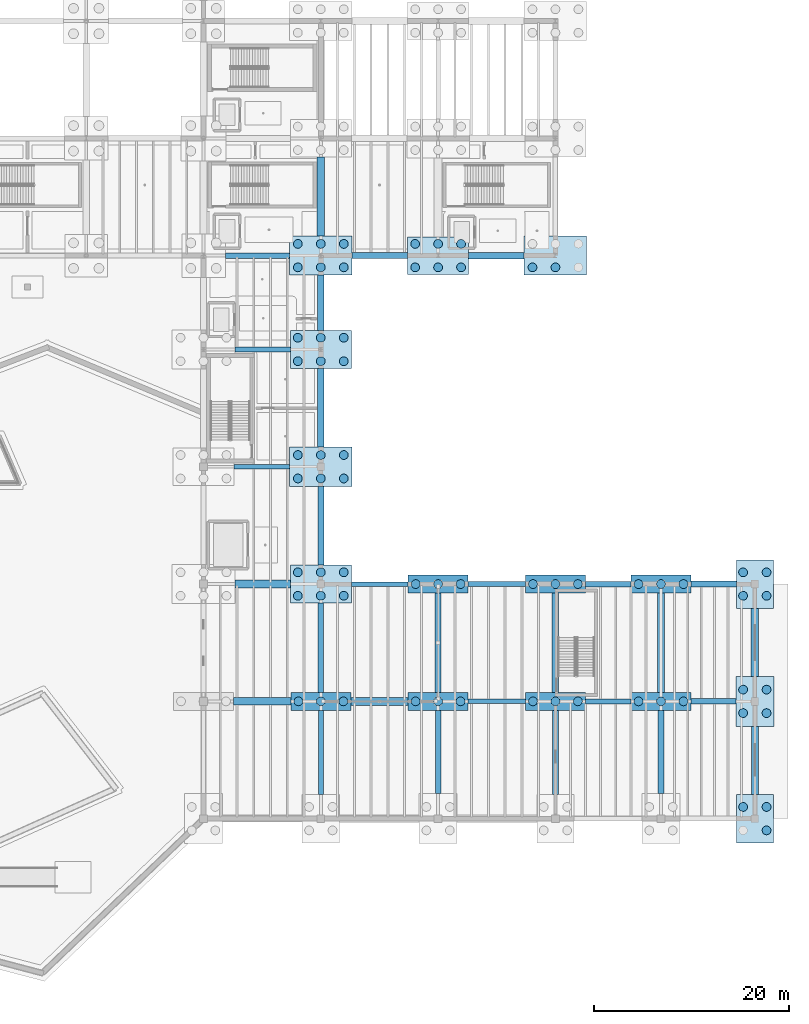
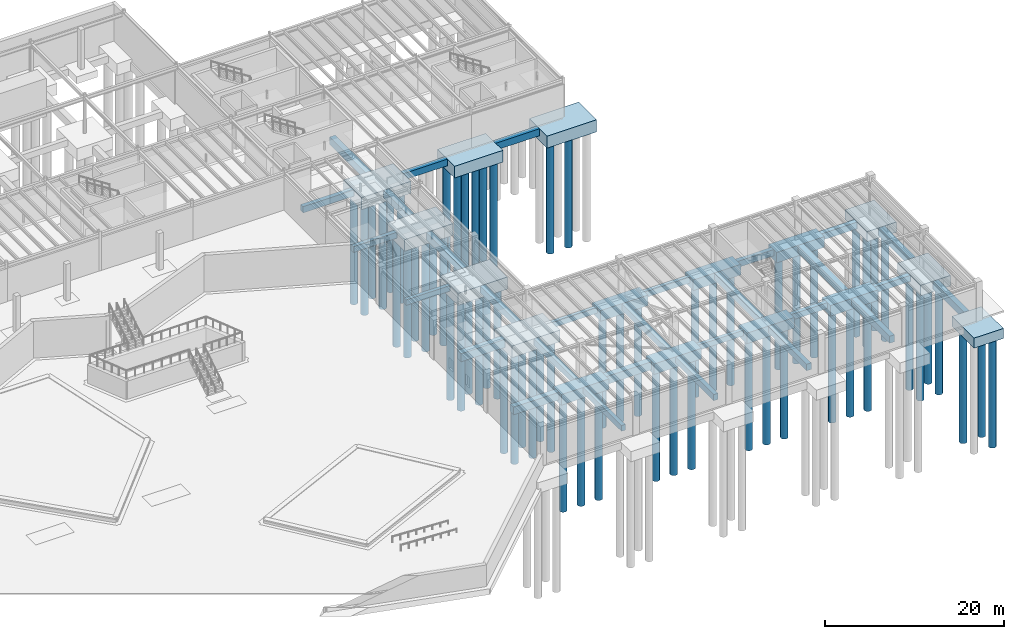
# One storey, part 8 of 67: 64 piles, 45 footings.
"""IFC4 building model written with IfcOpenShell, lengths in metres."""

from ifc_helpers import new_model, si_unit, direction, frame, origin, origin_2d, place, context, subcontext, project, spatial, polyline, rectangle, circle, outline, extrude, material, material_profile, profile_set, type_object, element, save


model = new_model("IFC4")

# Units and contexts
model_context = context("Model", 3, precision=1e-05, world=origin(), true_north=direction((0.0, 1.0)))
body_context = subcontext(model_context, "Body", "Model", "MODEL_VIEW")
ifc_project = project(units=[si_unit("LENGTHUNIT", "METRE"), si_unit("AREAUNIT", "SQUARE_METRE"), si_unit("VOLUMEUNIT", "CUBIC_METRE"), si_unit("PLANEANGLEUNIT", "RADIAN"), si_unit("MASSUNIT", "GRAM", prefix="KILO")], contexts=[model_context])

# Site, building, storey
site_placement = place(None, origin())
site = spatial("IfcSite", under=ifc_project, at=site_placement, CompositionType="ELEMENT")
building_placement = place(site_placement, origin())
building = spatial("IfcBuilding", under=site, at=building_placement, Name="Zlatogorsky Bluff Art Gallery", CompositionType="ELEMENT")
storey_placement = place(building_placement, frame((0.0, 0.0, -5.39990234375)))
storey = spatial("IfcBuildingStorey", under=building, at=storey_placement, Name="B1", CompositionType="ELEMENT", Elevation=-5.39990234375)

# Piles
ifc_material = material(Name="Concrete C35/45", Category="concrete")
ifc_material_profile = material_profile(ifc_material, circle(Radius=0.449951171875, at=origin_2d()), Name="BORED PILE D900")
ifc_profile_set = profile_set([ifc_material_profile], Name="Concrete C35/45")
pile_type = type_object("IfcPileType", Name="Bored Pile D900 C35/45", PredefinedType="BORED", material=ifc_profile_set)
for number, where, z_axis, x_axis, name in (
    (1, (129.699951171875, 38.39990234375, -1.75), (0.0, 0.0, -1.0), (1.0, 0.0, 0.0), "Bored pile PL-01 11.04.1"),
    (2, (132.0, 38.39990234375, -1.75), (0.0, 0.0, -1.0), (1.0, 0.0, 0.0), "Bored pile PL-01 11.04.2"),
    (3, (134.300048828125, 38.39990234375, -1.75), (0.0, 0.0, -1.0), (1.0, 0.0, 0.0), "Bored pile PL-01 11.04.3"),
):
    element("IfcPile", number, at=place(storey_placement, frame(where, z_axis=z_axis, x_axis=x_axis)), inside=storey, type_object=pile_type, Name=name, PredefinedType="BORED", context=body_context, shape_type="SweptSolid", body=[
        extrude(circle(Radius=0.449951171875, at=origin_2d()), origin(), (0.0, 0.0, 1.0), 15.25),
    ])
for number, where, z_axis, x_axis, name in (
    (4, (129.64990234375, 49.199951171875, -1.900146484375), (0.0, 0.0, -1.0), (1.0, 0.0, 0.0), "Bored pile PL-01 11.05.1"),
    (5, (132.0, 49.199951171875, -1.900146484375), (0.0, 0.0, -1.0), (1.0, 0.0, 0.0), "Bored pile PL-01 11.05.2"),
    (6, (134.35009765625, 49.199951171875, -1.900146484375), (0.0, 0.0, -1.0), (1.0, 0.0, 0.0), "Bored pile PL-01 11.05.3"),
    (7, (129.64990234375, 51.60009765625, -1.900146484375), (0.0, 0.0, -1.0), (1.0, 0.0, 0.0), "Bored pile PL-01 11.05.4"),
    (8, (132.0, 51.60009765625, -1.900146484375), (0.0, 0.0, -1.0), (1.0, 0.0, 0.0), "Bored pile PL-01 11.05.5"),
    (9, (134.35009765625, 51.60009765625, -1.900146484375), (0.0, 0.0, -1.0), (1.0, 0.0, 0.0), "Bored pile PL-01 11.05.6"),
):
    element("IfcPile", number, at=place(storey_placement, frame(where, z_axis=z_axis, x_axis=x_axis)), inside=storey, type_object=pile_type, Name=name, PredefinedType="BORED", context=body_context, shape_type="SweptSolid", body=[
        extrude(circle(Radius=0.449951171875, at=origin_2d()), origin(), (0.0, 0.0, 1.0), 15.10009765625),
    ])
for number, where, z_axis, x_axis, name in (
    (10, (129.64990234375, 61.199951171875, -1.9501953125), (0.0, 0.0, -1.0), (1.0, 0.0, 0.0), "Bored pile PL-01 11.06.1"),
    (11, (132.0, 61.199951171875, -1.9501953125), (0.0, 0.0, -1.0), (1.0, 0.0, 0.0), "Bored pile PL-01 11.06.2"),
    (12, (134.35009765625, 61.199951171875, -1.9501953125), (0.0, 0.0, -1.0), (1.0, 0.0, 0.0), "Bored pile PL-01 11.06.3"),
    (13, (129.64990234375, 63.60009765625, -1.9501953125), (0.0, 0.0, -1.0), (1.0, 0.0, 0.0), "Bored pile PL-01 11.06.4"),
    (14, (132.0, 63.60009765625, -1.9501953125), (0.0, 0.0, -1.0), (1.0, 0.0, 0.0), "Bored pile PL-01 11.06.5"),
    (15, (134.35009765625, 63.60009765625, -1.9501953125), (0.0, 0.0, -1.0), (1.0, 0.0, 0.0), "Bored pile PL-01 11.06.6"),
):
    element("IfcPile", number, at=place(storey_placement, frame(where, z_axis=z_axis, x_axis=x_axis)), inside=storey, type_object=pile_type, Name=name, PredefinedType="BORED", context=body_context, shape_type="SweptSolid", body=[
        extrude(circle(Radius=0.449951171875, at=origin_2d()), origin(), (0.0, 0.0, 1.0), 15.050048828125),
    ])
for number, where, z_axis, x_axis, name in (
    (16, (129.64990234375, 73.199951171875, -1.900146484375), (0.0, 0.0, -1.0), (1.0, 0.0, 0.0), "Bored pile PL-01 11.07.1"),
    (17, (132.0, 73.199951171875, -1.900146484375), (0.0, 0.0, -1.0), (1.0, 0.0, 0.0), "Bored pile PL-01 11.07.2"),
    (18, (134.35009765625, 73.199951171875, -1.900146484375), (0.0, 0.0, -1.0), (1.0, 0.0, 0.0), "Bored pile PL-01 11.07.3"),
    (19, (129.64990234375, 75.60009765625, -1.900146484375), (0.0, 0.0, -1.0), (1.0, 0.0, 0.0), "Bored pile PL-01 11.07.4"),
    (20, (132.0, 75.60009765625, -1.900146484375), (0.0, 0.0, -1.0), (1.0, 0.0, 0.0), "Bored pile PL-01 11.07.5"),
    (21, (134.35009765625, 75.60009765625, -1.900146484375), (0.0, 0.0, -1.0), (1.0, 0.0, 0.0), "Bored pile PL-01 11.07.6"),
):
    element("IfcPile", number, at=place(storey_placement, frame(where, z_axis=z_axis, x_axis=x_axis)), inside=storey, type_object=pile_type, Name=name, PredefinedType="BORED", context=body_context, shape_type="SweptSolid", body=[
        extrude(circle(Radius=0.449951171875, at=origin_2d()), origin(), (0.0, 0.0, 1.0), 15.10009765625),
    ])
for number, where, z_axis, x_axis, name in (
    (22, (129.64990234375, 82.800048828125, -1.9501953125), (0.0, 0.0, -1.0), (1.0, 0.0, 0.0), "Bored pile PL-01 11.08.1"),
    (23, (132.0, 82.800048828125, -1.9501953125), (0.0, 0.0, -1.0), (1.0, 0.0, 0.0), "Bored pile PL-01 11.08.2"),
    (24, (134.35009765625, 82.800048828125, -1.9501953125), (0.0, 0.0, -1.0), (1.0, 0.0, 0.0), "Bored pile PL-01 11.08.3"),
    (25, (129.64990234375, 85.199951171875, -1.9501953125), (0.0, 0.0, -1.0), (1.0, 0.0, 0.0), "Bored pile PL-01 11.08.4"),
    (26, (132.0, 85.199951171875, -1.9501953125), (0.0, 0.0, -1.0), (1.0, 0.0, 0.0), "Bored pile PL-01 11.08.5"),
    (27, (134.35009765625, 85.199951171875, -1.9501953125), (0.0, 0.0, -1.0), (1.0, 0.0, 0.0), "Bored pile PL-01 11.08.6"),
):
    element("IfcPile", number, at=place(storey_placement, frame(where, z_axis=z_axis, x_axis=x_axis)), inside=storey, type_object=pile_type, Name=name, PredefinedType="BORED", context=body_context, shape_type="SweptSolid", body=[
        extrude(circle(Radius=0.449951171875, at=origin_2d()), origin(), (0.0, 0.0, 1.0), 15.050048828125),
    ])
for number, where, z_axis, x_axis, name in (
    (28, (141.699951171875, 38.39990234375, -1.75), (0.0, 0.0, -1.0), (1.0, 0.0, 0.0), "Bored pile PL-01 12.04.1"),
    (29, (144.0, 38.39990234375, -1.75), (0.0, 0.0, -1.0), (1.0, 0.0, 0.0), "Bored pile PL-01 12.04.2"),
    (30, (146.300048828125, 38.39990234375, -1.75), (0.0, 0.0, -1.0), (1.0, 0.0, 0.0), "Bored pile PL-01 12.04.3"),
    (31, (141.699951171875, 50.39990234375, -1.75), (0.0, 0.0, -1.0), (1.0, 0.0, 0.0), "Bored pile PL-01 12.05.1"),
    (32, (144.0, 50.39990234375, -1.75), (0.0, 0.0, -1.0), (1.0, 0.0, 0.0), "Bored pile PL-01 12.05.2"),
    (33, (146.300048828125, 50.39990234375, -1.75), (0.0, 0.0, -1.0), (1.0, 0.0, 0.0), "Bored pile PL-01 12.05.3"),
):
    element("IfcPile", number, at=place(storey_placement, frame(where, z_axis=z_axis, x_axis=x_axis)), inside=storey, type_object=pile_type, Name=name, PredefinedType="BORED", context=body_context, shape_type="SweptSolid", body=[
        extrude(circle(Radius=0.449951171875, at=origin_2d()), origin(), (0.0, 0.0, 1.0), 15.25),
    ])
for number, where, z_axis, x_axis, name in (
    (34, (141.64990234375, 82.800048828125, -1.900146484375), (0.0, 0.0, -1.0), (1.0, 0.0, 0.0), "Bored pile PL-01 12.08.1"),
    (35, (144.0, 82.800048828125, -1.900146484375), (0.0, 0.0, -1.0), (1.0, 0.0, 0.0), "Bored pile PL-01 12.08.2"),
    (36, (146.35009765625, 82.800048828125, -1.900146484375), (0.0, 0.0, -1.0), (1.0, 0.0, 0.0), "Bored pile PL-01 12.08.3"),
    (37, (141.64990234375, 85.199951171875, -1.900146484375), (0.0, 0.0, -1.0), (1.0, 0.0, 0.0), "Bored pile PL-01 12.08.4"),
    (38, (144.0, 85.199951171875, -1.900146484375), (0.0, 0.0, -1.0), (1.0, 0.0, 0.0), "Bored pile PL-01 12.08.5"),
    (39, (146.35009765625, 85.199951171875, -1.900146484375), (0.0, 0.0, -1.0), (1.0, 0.0, 0.0), "Bored pile PL-01 12.08.6"),
):
    element("IfcPile", number, at=place(storey_placement, frame(where, z_axis=z_axis, x_axis=x_axis)), inside=storey, type_object=pile_type, Name=name, PredefinedType="BORED", context=body_context, shape_type="SweptSolid", body=[
        extrude(circle(Radius=0.449951171875, at=origin_2d()), origin(), (0.0, 0.0, 1.0), 15.10009765625),
    ])
for number, where, z_axis, x_axis, name in (
    (40, (153.699951171875, 38.39990234375, -1.75), (0.0, 0.0, -1.0), (1.0, 0.0, 0.0), "Bored pile PL-01 13.04.1"),
    (41, (156.0, 38.39990234375, -1.75), (0.0, 0.0, -1.0), (1.0, 0.0, 0.0), "Bored pile PL-01 13.04.2"),
    (42, (158.300048828125, 38.39990234375, -1.75), (0.0, 0.0, -1.0), (1.0, 0.0, 0.0), "Bored pile PL-01 13.04.3"),
    (43, (153.699951171875, 50.39990234375, -1.75), (0.0, 0.0, -1.0), (1.0, 0.0, 0.0), "Bored pile PL-01 13.05.1"),
    (44, (156.0, 50.39990234375, -1.75), (0.0, 0.0, -1.0), (1.0, 0.0, 0.0), "Bored pile PL-01 13.05.2"),
    (45, (158.300048828125, 50.39990234375, -1.75), (0.0, 0.0, -1.0), (1.0, 0.0, 0.0), "Bored pile PL-01 13.05.3"),
):
    element("IfcPile", number, at=place(storey_placement, frame(where, z_axis=z_axis, x_axis=x_axis)), inside=storey, type_object=pile_type, Name=name, PredefinedType="BORED", context=body_context, shape_type="SweptSolid", body=[
        extrude(circle(Radius=0.449951171875, at=origin_2d()), origin(), (0.0, 0.0, 1.0), 15.25),
    ])
for number, where, z_axis, x_axis, name in (
    (46, (153.64990234375, 82.800048828125, -1.9501953125), (0.0, 0.0, -1.0), (1.0, 0.0, 0.0), "Bored pile PL-01 13.08.1"),
    (47, (156.0, 82.800048828125, -1.9501953125), (0.0, 0.0, -1.0), (1.0, 0.0, 0.0), "Bored pile PL-01 13.08.2"),
):
    element("IfcPile", number, at=place(storey_placement, frame(where, z_axis=z_axis, x_axis=x_axis)), inside=storey, type_object=pile_type, Name=name, PredefinedType="BORED", context=body_context, shape_type="SweptSolid", body=[
        extrude(circle(Radius=0.449951171875, at=origin_2d()), origin(), (0.0, 0.0, 1.0), 15.050048828125),
    ])
for number, where, z_axis, x_axis, name in (
    (48, (164.5, 38.39990234375, -1.75), (0.0, 0.0, -1.0), (1.0, 0.0, 0.0), "Bored pile PL-01 14.04.1"),
    (49, (166.800048828125, 38.39990234375, -1.75), (0.0, 0.0, -1.0), (1.0, 0.0, 0.0), "Bored pile PL-01 14.04.2"),
    (50, (169.10009765625, 38.39990234375, -1.75), (0.0, 0.0, -1.0), (1.0, 0.0, 0.0), "Bored pile PL-01 14.04.3"),
    (51, (164.5, 50.39990234375, -1.75), (0.0, 0.0, -1.0), (1.0, 0.0, 0.0), "Bored pile PL-01 14.05.1"),
    (52, (166.800048828125, 50.39990234375, -1.75), (0.0, 0.0, -1.0), (1.0, 0.0, 0.0), "Bored pile PL-01 14.05.2"),
    (53, (169.10009765625, 50.39990234375, -1.75), (0.0, 0.0, -1.0), (1.0, 0.0, 0.0), "Bored pile PL-01 14.05.3"),
):
    element("IfcPile", number, at=place(storey_placement, frame(where, z_axis=z_axis, x_axis=x_axis)), inside=storey, type_object=pile_type, Name=name, PredefinedType="BORED", context=body_context, shape_type="SweptSolid", body=[
        extrude(circle(Radius=0.449951171875, at=origin_2d()), origin(), (0.0, 0.0, 1.0), 15.25),
    ])
for number, where, z_axis, x_axis, name in (
    (54, (175.199951171875, 27.60009765625, -1.68017578125), (0.0, 0.0, -1.0), (1.0, 0.0, 0.0), "Bored pile PL-01 15.03.2"),
    (55, (177.60009765625, 25.199951171875, -1.68017578125), (0.0, 0.0, -1.0), (1.0, 0.0, 0.0), "Bored pile PL-01 15.03.3"),
    (56, (177.60009765625, 27.60009765625, -1.68017578125), (0.0, 0.0, -1.0), (1.0, 0.0, 0.0), "Bored pile PL-01 15.03.4"),
):
    element("IfcPile", number, at=place(storey_placement, frame(where, z_axis=z_axis, x_axis=x_axis)), inside=storey, type_object=pile_type, Name=name, PredefinedType="BORED", context=body_context, shape_type="SweptSolid", body=[
        extrude(circle(Radius=0.449951171875, at=origin_2d()), origin(), (0.0, 0.0, 1.0), 15.320068359375),
    ])
for number, where, z_axis, x_axis, name in (
    (57, (175.199951171875, 37.199951171875, -1.739990234375), (0.0, 0.0, -1.0), (1.0, 0.0, 0.0), "Bored pile PL-01 15.04.1"),
    (58, (175.199951171875, 39.60009765625, -1.739990234375), (0.0, 0.0, -1.0), (1.0, 0.0, 0.0), "Bored pile PL-01 15.04.2"),
    (59, (177.60009765625, 37.199951171875, -1.739990234375), (0.0, 0.0, -1.0), (1.0, 0.0, 0.0), "Bored pile PL-01 15.04.3"),
    (60, (177.60009765625, 39.60009765625, -1.739990234375), (0.0, 0.0, -1.0), (1.0, 0.0, 0.0), "Bored pile PL-01 15.04.4"),
):
    element("IfcPile", number, at=place(storey_placement, frame(where, z_axis=z_axis, x_axis=x_axis)), inside=storey, type_object=pile_type, Name=name, PredefinedType="BORED", context=body_context, shape_type="SweptSolid", body=[
        extrude(circle(Radius=0.449951171875, at=origin_2d()), origin(), (0.0, 0.0, 1.0), 15.260009765625),
    ])
for number, where, z_axis, x_axis, name in (
    (61, (175.199951171875, 49.199951171875, -1.68017578125), (0.0, 0.0, -1.0), (1.0, 0.0, 0.0), "Bored pile PL-01 15.05.1"),
    (62, (175.199951171875, 51.60009765625, -1.68017578125), (0.0, 0.0, -1.0), (1.0, 0.0, 0.0), "Bored pile PL-01 15.05.2"),
    (63, (177.60009765625, 49.199951171875, -1.68017578125), (0.0, 0.0, -1.0), (1.0, 0.0, 0.0), "Bored pile PL-01 15.05.3"),
    (64, (177.60009765625, 51.60009765625, -1.68017578125), (0.0, 0.0, -1.0), (1.0, 0.0, 0.0), "Bored pile PL-01 15.05.4"),
):
    element("IfcPile", number, at=place(storey_placement, frame(where, z_axis=z_axis, x_axis=x_axis)), inside=storey, type_object=pile_type, Name=name, PredefinedType="BORED", context=body_context, shape_type="SweptSolid", body=[
        extrude(circle(Radius=0.449951171875, at=origin_2d()), origin(), (0.0, 0.0, 1.0), 15.320068359375),
    ])

# Footings
footing_type_1 = type_object("IfcFootingType", Name="Foundation FB-01 450x750", PredefinedType="FOOTING_BEAM", material=ifc_material)
footing_1_placement = place(storey_placement, frame((0.0, 0.0, -1.150146484375)))
element("IfcFooting", 65, at=footing_1_placement, inside=storey, type_object=footing_type_1, Name="Ground tie beam FB-01 L-M/7", PredefinedType="FOOTING_BEAM", context=body_context, shape_type="SweptSolid", body=[
    extrude(outline(polyline([(123.125, 62.175048828125), (128.800048828125, 62.175048828125), (128.800048828125, 62.625), (123.125, 62.625), (123.125, 62.175048828125)])), origin(), (0.0, 0.0, 1.0), 0.75),
])
footing_2_placement = place(storey_placement, frame((0.0, 0.0, -1.150146484375)))
element("IfcFooting", 66, at=footing_2_placement, inside=storey, type_object=footing_type_1, Name="Ground tie beam FB-01 M-N/6", PredefinedType="FOOTING_BEAM", context=body_context, shape_type="SweptSolid", body=[
    extrude(outline(polyline([(135.125, 50.175048828125), (140.925048828125, 50.175048828125), (140.925048828125, 50.625), (135.125, 50.625), (135.125, 50.175048828125)])), origin(), (0.0, 0.0, 1.0), 0.75),
])
footing_3_placement = place(storey_placement, frame((0.0, 0.0, -1.150146484375)))
element("IfcFooting", 67, at=footing_3_placement, inside=storey, type_object=footing_type_1, Name="Ground tie beam FB-01 N-P/5", PredefinedType="FOOTING_BEAM", context=body_context, shape_type="SweptSolid", body=[
    extrude(outline(polyline([(147.074951171875, 38.175048828125), (152.925048828125, 38.175048828125), (152.925048828125, 38.625), (147.074951171875, 38.625), (147.074951171875, 38.175048828125)])), origin(), (0.0, 0.0, 1.0), 0.75),
])
footing_type_2 = type_object("IfcFootingType", Name="Foundation FB-02 500x800", PredefinedType="FOOTING_BEAM", material=ifc_material)
footing_4_placement = place(storey_placement, frame((0.0, 0.0, -1.2001953125)))
element("IfcFooting", 68, at=footing_4_placement, inside=storey, type_object=footing_type_2, Name="Ground tie beam FB-02 L-M/8", PredefinedType="FOOTING_BEAM", context=body_context, shape_type="SweptSolid", body=[
    extrude(outline(polyline([(123.199951171875, 74.14990234375), (128.875, 74.14990234375), (128.875, 74.64990234375), (123.199951171875, 74.64990234375), (123.199951171875, 74.14990234375)])), origin(), (0.0, 0.0, 1.0), 0.800048828125),
])
footing_5_placement = place(storey_placement, frame((0.0, 0.0, -1.2001953125)))
element("IfcFooting", 69, at=footing_5_placement, inside=storey, type_object=footing_type_2, Name="Ground tie beam FB-02 M/4-5", PredefinedType="FOOTING_BEAM", context=body_context, shape_type="SweptSolid", body=[
    extrude(outline(polyline([(131.75, 28.875), (132.25, 28.875), (132.25, 37.47509765625), (131.75, 37.47509765625), (131.75, 28.875)])), origin(), (0.0, 0.0, 1.0), 0.800048828125),
])
footing_6_placement = place(storey_placement, frame((0.0, 0.0, -1.2001953125)))
element("IfcFooting", 70, at=footing_6_placement, inside=storey, type_object=footing_type_2, Name="Ground tie beam FB-02 N-P/6", PredefinedType="FOOTING_BEAM", context=body_context, shape_type="SweptSolid", body=[
    extrude(outline(polyline([(147.074951171875, 50.14990234375), (152.925048828125, 50.14990234375), (152.925048828125, 50.64990234375), (147.074951171875, 50.64990234375), (147.074951171875, 50.14990234375)])), origin(), (0.0, 0.0, 1.0), 0.800048828125),
])
footing_7_placement = place(storey_placement, frame((0.0, 0.0, -1.2001953125)))
element("IfcFooting", 71, at=footing_7_placement, inside=storey, type_object=footing_type_2, Name="Ground tie beam FB-02 P-Q/5", PredefinedType="FOOTING_BEAM", context=body_context, shape_type="SweptSolid", body=[
    extrude(outline(polyline([(159.074951171875, 38.14990234375), (163.72509765625, 38.14990234375), (163.72509765625, 38.64990234375), (159.074951171875, 38.64990234375), (159.074951171875, 38.14990234375)])), origin(), (0.0, 0.0, 1.0), 0.800048828125),
])
footing_type_3 = type_object("IfcFootingType", Name="Foundation FB-03 550x850", PredefinedType="FOOTING_BEAM", material=ifc_material)
footing_8_placement = place(storey_placement, frame((0.0, 0.0, -1.25)))
element("IfcFooting", 72, at=footing_8_placement, inside=storey, type_object=footing_type_3, Name="Ground tie beam FB-03 L-M/9", PredefinedType="FOOTING_BEAM", context=body_context, shape_type="SweptSolid", body=[
    extrude(outline(polyline([(122.22509765625, 83.72509765625), (128.800048828125, 83.72509765625), (128.800048828125, 84.27490234375), (122.22509765625, 84.27490234375), (122.22509765625, 83.72509765625)])), origin(), (0.0, 0.0, 1.0), 0.849853515625),
])
footing_9_placement = place(storey_placement, frame((0.0, 0.0, -1.25)))
element("IfcFooting", 73, at=footing_9_placement, inside=storey, type_object=footing_type_3, Name="Ground tie beam FB-03 M/5-6", PredefinedType="FOOTING_BEAM", context=body_context, shape_type="SweptSolid", body=[
    extrude(outline(polyline([(131.72509765625, 39.324951171875), (132.27490234375, 39.324951171875), (132.27490234375, 48.47509765625), (131.72509765625, 48.47509765625), (131.72509765625, 39.324951171875)])), origin(), (0.0, 0.0, 1.0), 0.849853515625),
])
footing_10_placement = place(storey_placement, frame((0.0, 0.0, -1.25)))
element("IfcFooting", 74, at=footing_10_placement, inside=storey, type_object=footing_type_3, Name="Ground tie beam FB-03 N/4-5", PredefinedType="FOOTING_BEAM", context=body_context, shape_type="SweptSolid", body=[
    extrude(outline(polyline([(143.72509765625, 28.949951171875), (144.27490234375, 28.949951171875), (144.27490234375, 37.47509765625), (143.72509765625, 37.47509765625), (143.72509765625, 28.949951171875)])), origin(), (0.0, 0.0, 1.0), 0.849853515625),
])
footing_11_placement = place(storey_placement, frame((0.0, 0.0, -1.25)))
element("IfcFooting", 75, at=footing_11_placement, inside=storey, type_object=footing_type_3, Name="Ground tie beam FB-03 P-Q/6", PredefinedType="FOOTING_BEAM", context=body_context, shape_type="SweptSolid", body=[
    extrude(outline(polyline([(159.074951171875, 50.125), (163.72509765625, 50.125), (163.72509765625, 50.675048828125), (159.074951171875, 50.675048828125), (159.074951171875, 50.125)])), origin(), (0.0, 0.0, 1.0), 0.849853515625),
])
footing_12_placement = place(storey_placement, frame((0.0, 0.0, -1.25)))
element("IfcFooting", 76, at=footing_12_placement, inside=storey, type_object=footing_type_3, Name="Ground tie beam FB-03 Q-R/5", PredefinedType="FOOTING_BEAM", context=body_context, shape_type="SweptSolid", body=[
    extrude(outline(polyline([(169.875, 38.125), (174.449951171875, 38.125), (174.449951171875, 38.675048828125), (169.875, 38.675048828125), (169.875, 38.125)])), origin(), (0.0, 0.0, 1.0), 0.849853515625),
])
footing_type_4 = type_object("IfcFootingType", Name="Foundation FB-04 600x900", PredefinedType="FOOTING_BEAM", material=ifc_material)
footing_13_placement = place(storey_placement, frame((0.0, 0.0, -1.300048828125)))
element("IfcFooting", 77, at=footing_13_placement, inside=storey, type_object=footing_type_4, Name="Ground tie beam FB-04 M/6-7", PredefinedType="FOOTING_BEAM", context=body_context, shape_type="SweptSolid", body=[
    extrude(outline(polyline([(131.699951171875, 52.324951171875), (132.300048828125, 52.324951171875), (132.300048828125, 60.39990234375), (131.699951171875, 60.39990234375), (131.699951171875, 52.324951171875)])), origin(), (0.0, 0.0, 1.0), 0.89990234375),
])
footing_14_placement = place(storey_placement, frame((0.0, 0.0, -1.300048828125)))
element("IfcFooting", 78, at=footing_14_placement, inside=storey, type_object=footing_type_4, Name="Ground tie beam FB-04 M-N/9", PredefinedType="FOOTING_BEAM", context=body_context, shape_type="SweptSolid", body=[
    extrude(outline(polyline([(135.199951171875, 83.699951171875), (140.875, 83.699951171875), (140.875, 84.300048828125), (135.199951171875, 84.300048828125), (135.199951171875, 83.699951171875)])), origin(), (0.0, 0.0, 1.0), 0.89990234375),
])
footing_15_placement = place(storey_placement, frame((0.0, 0.0, -1.300048828125)))
element("IfcFooting", 79, at=footing_15_placement, inside=storey, type_object=footing_type_4, Name="Ground tie beam FB-04 N/5-6", PredefinedType="FOOTING_BEAM", context=body_context, shape_type="SweptSolid", body=[
    extrude(outline(polyline([(143.699951171875, 39.324951171875), (144.300048828125, 39.324951171875), (144.300048828125, 49.47509765625), (143.699951171875, 49.47509765625), (143.699951171875, 39.324951171875)])), origin(), (0.0, 0.0, 1.0), 0.89990234375),
])
footing_16_placement = place(storey_placement, frame((0.0, 0.0, -1.300048828125)))
element("IfcFooting", 80, at=footing_16_placement, inside=storey, type_object=footing_type_4, Name="Ground tie beam FB-04 P/4-5", PredefinedType="FOOTING_BEAM", context=body_context, shape_type="SweptSolid", body=[
    extrude(outline(polyline([(155.699951171875, 28.875), (156.300048828125, 28.875), (156.300048828125, 37.47509765625), (155.699951171875, 37.47509765625), (155.699951171875, 28.875)])), origin(), (0.0, 0.0, 1.0), 0.89990234375),
])
footing_17_placement = place(storey_placement, frame((0.0, 0.0, -1.300048828125)))
element("IfcFooting", 81, at=footing_17_placement, inside=storey, type_object=footing_type_4, Name="Ground tie beam FB-04 Q-R/6", PredefinedType="FOOTING_BEAM", context=body_context, shape_type="SweptSolid", body=[
    extrude(outline(polyline([(169.875, 50.10009765625), (174.5, 50.10009765625), (174.5, 50.699951171875), (169.875, 50.699951171875), (169.875, 50.10009765625)])), origin(), (0.0, 0.0, 1.0), 0.89990234375),
])
footing_type_5 = type_object("IfcFootingType", Name="Foundation FB-05 650x950", PredefinedType="FOOTING_BEAM", material=ifc_material)
footing_18_placement = place(storey_placement, frame((0.0, 0.0, -1.35009765625)))
element("IfcFooting", 82, at=footing_18_placement, inside=storey, type_object=footing_type_5, Name="Ground tie beam FB-05 M/7-8", PredefinedType="FOOTING_BEAM", context=body_context, shape_type="SweptSolid", body=[
    extrude(outline(polyline([(131.675048828125, 64.39990234375), (132.324951171875, 64.39990234375), (132.324951171875, 72.47509765625), (131.675048828125, 72.47509765625), (131.675048828125, 64.39990234375)])), origin(), (0.0, 0.0, 1.0), 0.949951171875),
])
footing_19_placement = place(storey_placement, frame((0.0, 0.0, -1.35009765625)))
element("IfcFooting", 83, at=footing_19_placement, inside=storey, type_object=footing_type_5, Name="Ground tie beam FB-05 N-P/9", PredefinedType="FOOTING_BEAM", context=body_context, shape_type="SweptSolid", body=[
    extrude(outline(polyline([(147.125, 83.675048828125), (152.800048828125, 83.675048828125), (152.800048828125, 84.324951171875), (147.125, 84.324951171875), (147.125, 83.675048828125)])), origin(), (0.0, 0.0, 1.0), 0.949951171875),
])
footing_20_placement = place(storey_placement, frame((0.0, 0.0, -1.35009765625)))
element("IfcFooting", 84, at=footing_20_placement, inside=storey, type_object=footing_type_5, Name="Ground tie beam FB-05 P/5-6", PredefinedType="FOOTING_BEAM", context=body_context, shape_type="SweptSolid", body=[
    extrude(outline(polyline([(155.675048828125, 39.324951171875), (156.324951171875, 39.324951171875), (156.324951171875, 49.47509765625), (155.675048828125, 49.47509765625), (155.675048828125, 39.324951171875)])), origin(), (0.0, 0.0, 1.0), 0.949951171875),
])
footing_21_placement = place(storey_placement, frame((0.0, 0.0, -1.35009765625)))
element("IfcFooting", 85, at=footing_21_placement, inside=storey, type_object=footing_type_5, Name="Ground tie beam FB-05 Q/4-5", PredefinedType="FOOTING_BEAM", context=body_context, shape_type="SweptSolid", body=[
    extrude(outline(polyline([(166.47509765625, 28.949951171875), (167.125, 28.949951171875), (167.125, 37.47509765625), (166.47509765625, 37.47509765625), (166.47509765625, 28.949951171875)])), origin(), (0.0, 0.0, 1.0), 0.949951171875),
])
footing_type_6 = type_object("IfcFootingType", Name="Foundation FB-06 700x1000", PredefinedType="FOOTING_BEAM", material=ifc_material)
footing_22_placement = place(storey_placement, frame((0.0, 0.0, -1.400146484375)))
element("IfcFooting", 86, at=footing_22_placement, inside=storey, type_object=footing_type_6, Name="Ground tie beam FB-06 M/8-9", PredefinedType="FOOTING_BEAM", context=body_context, shape_type="SweptSolid", body=[
    extrude(outline(polyline([(131.64990234375, 76.324951171875), (132.35009765625, 76.324951171875), (132.35009765625, 82.0), (131.64990234375, 82.0), (131.64990234375, 76.324951171875)])), origin(), (0.0, 0.0, 1.0), 1.0),
])
footing_23_placement = place(storey_placement, frame((0.0, 0.0, -1.400146484375)))
element("IfcFooting", 87, at=footing_23_placement, inside=storey, type_object=footing_type_6, Name="Ground tie beam FB-06 Q/5-6", PredefinedType="FOOTING_BEAM", context=body_context, shape_type="SweptSolid", body=[
    extrude(outline(polyline([(166.449951171875, 39.324951171875), (167.14990234375, 39.324951171875), (167.14990234375, 49.47509765625), (166.449951171875, 49.47509765625), (166.449951171875, 39.324951171875)])), origin(), (0.0, 0.0, 1.0), 1.0),
])
footing_24_placement = place(storey_placement, frame((0.0, 0.0, -1.400146484375)))
element("IfcFooting", 88, at=footing_24_placement, inside=storey, type_object=footing_type_6, Name="Ground tie beam FB-06 R/4-5", PredefinedType="FOOTING_BEAM", context=body_context, shape_type="SweptSolid", body=[
    extrude(outline(polyline([(176.050048828125, 28.875), (176.75, 28.875), (176.75, 35.85009765625), (176.050048828125, 35.85009765625), (176.050048828125, 28.875)])), origin(), (0.0, 0.0, 1.0), 1.0),
])
footing_type_7 = type_object("IfcFootingType", Name="Foundation FB-07 750x1050", PredefinedType="FOOTING_BEAM", material=ifc_material)
footing_25_placement = place(storey_placement, frame((0.0, 0.0, -1.4501953125)))
element("IfcFooting", 89, at=footing_25_placement, inside=storey, type_object=footing_type_7, Name="Ground tie beam FB-07 L-M/5", PredefinedType="FOOTING_BEAM", context=body_context, shape_type="SweptSolid", body=[
    extrude(outline(polyline([(123.074951171875, 38.02490234375), (128.925048828125, 38.02490234375), (128.925048828125, 38.77490234375), (123.074951171875, 38.77490234375), (123.074951171875, 38.02490234375)])), origin(), (0.0, 0.0, 1.0), 1.050048828125),
])
footing_26_placement = place(storey_placement, frame((0.0, 0.0, -1.4501953125)))
element("IfcFooting", 90, at=footing_26_placement, inside=storey, type_object=footing_type_7, Name="Ground tie beam FB-07 M/9-10", PredefinedType="FOOTING_BEAM", context=body_context, shape_type="SweptSolid", body=[
    extrude(outline(polyline([(131.625, 86.0), (132.375, 86.0), (132.375, 94.074951171875), (131.625, 94.074951171875), (131.625, 86.0)])), origin(), (0.0, 0.0, 1.0), 1.050048828125),
])
footing_27_placement = place(storey_placement, frame((0.0, 0.0, -1.4501953125)))
element("IfcFooting", 91, at=footing_27_placement, inside=storey, type_object=footing_type_7, Name="Ground tie beam FB-07 R/5-6", PredefinedType="FOOTING_BEAM", context=body_context, shape_type="SweptSolid", body=[
    extrude(outline(polyline([(176.02490234375, 40.949951171875), (176.77490234375, 40.949951171875), (176.77490234375, 47.925048828125), (176.02490234375, 47.925048828125), (176.02490234375, 40.949951171875)])), origin(), (0.0, 0.0, 1.0), 1.050048828125),
])
footing_type_8 = type_object("IfcFootingType", Name="Foundation FB-08 800x1100", PredefinedType="FOOTING_BEAM", material=ifc_material)
footing_28_placement = place(storey_placement, frame((0.0, 0.0, -1.5)))
element("IfcFooting", 92, at=footing_28_placement, inside=storey, type_object=footing_type_8, Name="Ground tie beam FB-08 L-M/6", PredefinedType="FOOTING_BEAM", context=body_context, shape_type="SweptSolid", body=[
    extrude(outline(polyline([(123.199951171875, 50.0), (128.875, 50.0), (128.875, 50.800048828125), (123.199951171875, 50.800048828125), (123.199951171875, 50.0)])), origin(), (0.0, 0.0, 1.0), 1.099853515625),
])
footing_29_placement = place(storey_placement, frame((0.0, 0.0, -1.5)))
element("IfcFooting", 93, at=footing_29_placement, inside=storey, type_object=footing_type_8, Name="Ground tie beam FB-08 M-N/5", PredefinedType="FOOTING_BEAM", context=body_context, shape_type="SweptSolid", body=[
    extrude(outline(polyline([(135.074951171875, 38.0), (140.925048828125, 38.0), (140.925048828125, 38.800048828125), (135.074951171875, 38.800048828125), (135.074951171875, 38.0)])), origin(), (0.0, 0.0, 1.0), 1.099853515625),
])
footing_type_9 = type_object("IfcFootingType", Name="Pile Cap PC-12 3800x4950x1380", PredefinedType="PILE_CAP", material=ifc_material)
for number, where, z_axis, x_axis, name in (
    (94, (176.39990234375, 26.39990234375, -1.780029296875), (0.0, 0.0, 1.0), (1.0, 0.0, 0.0), "Pile cap PC-12 at R4"),
    (95, (176.39990234375, 50.39990234375, -1.780029296875), (0.0, 0.0, 1.0), (1.0, 0.0, 0.0), "Pile cap PC-12 at R6"),
):
    element("IfcFooting", number, at=place(storey_placement, frame(where, z_axis=z_axis, x_axis=x_axis)), inside=storey, type_object=footing_type_9, Name=name, PredefinedType="PILE_CAP", context=body_context, shape_type="SweptSolid", body=[
        extrude(rectangle(XDim=3.800048828125, YDim=4.949951171875, at=origin_2d()), origin(), (0.0, 0.0, 1.0), 1.3798828125),
    ])
footing_type_10 = type_object("IfcFootingType", Name="Pile Cap PC-13 3900x5100x1440", PredefinedType="PILE_CAP", material=ifc_material)
footing_30_placement = place(storey_placement, frame((176.39990234375, 38.39990234375, -1.840087890625), z_axis=(0.0, 0.0, 1.0), x_axis=(1.0, 0.0, 0.0)))
element("IfcFooting", 96, at=footing_30_placement, inside=storey, type_object=footing_type_10, Name="Pile cap PC-13 at R5", PredefinedType="PILE_CAP", context=body_context, shape_type="SweptSolid", body=[
    extrude(rectangle(XDim=3.89990234375, YDim=5.10009765625, at=origin_2d()), origin(), (0.0, 0.0, 1.0), 1.43994140625),
])
footing_type_11 = type_object("IfcFootingType", Name="Pile Cap PC-14 6250x3850x1600", PredefinedType="PILE_CAP", material=ifc_material)
for number, where, z_axis, x_axis, name in (
    (97, (132.0, 50.39990234375, -2.000244140625), (0.0, 0.0, 1.0), (1.0, 0.0, 0.0), "Pile cap PC-14 at M6"),
    (98, (132.0, 74.39990234375, -2.000244140625), (0.0, 0.0, 1.0), (1.0, 0.0, 0.0), "Pile cap PC-14 at M8"),
    (99, (144.0, 84.0, -2.000244140625), (0.0, 0.0, 1.0), (1.0, 0.0, 0.0), "Pile cap PC-14 at N9"),
):
    element("IfcFooting", number, at=place(storey_placement, frame(where, z_axis=z_axis, x_axis=x_axis)), inside=storey, type_object=footing_type_11, Name=name, PredefinedType="PILE_CAP", context=body_context, shape_type="SweptSolid", body=[
        extrude(rectangle(XDim=6.25, YDim=3.85009765625, at=origin_2d()), origin(), (0.0, 0.0, 1.0), 1.60009765625),
    ])
footing_type_12 = type_object("IfcFootingType", Name="Pile Cap PC-15 6400x4000x1650", PredefinedType="PILE_CAP", material=ifc_material)
for number, where, z_axis, x_axis, name in (
    (100, (132.0, 62.39990234375, -2.050048828125), (0.0, 0.0, 1.0), (1.0, 0.0, 0.0), "Pile cap PC-15 at M7"),
    (101, (132.0, 84.0, -2.050048828125), (0.0, 0.0, 1.0), (1.0, 0.0, 0.0), "Pile cap PC-15 at M9"),
    (102, (156.0, 84.0, -2.050048828125), (0.0, 0.0, 1.0), (1.0, 0.0, 0.0), "Pile cap PC-15 at P9"),
):
    element("IfcFooting", number, at=place(storey_placement, frame(where, z_axis=z_axis, x_axis=x_axis)), inside=storey, type_object=footing_type_12, Name=name, PredefinedType="PILE_CAP", context=body_context, shape_type="SweptSolid", body=[
        extrude(rectangle(XDim=6.39990234375, YDim=4.0, at=origin_2d()), origin(), (0.0, 0.0, 1.0), 1.64990234375),
    ])
footing_type_13 = type_object("IfcFootingType", Name="Pile Cap PC-18 6150x1850x1450", PredefinedType="PILE_CAP", material=ifc_material)
for number, where, z_axis, x_axis, name in (
    (103, (132.0, 38.39990234375, -1.85009765625), (0.0, 0.0, 1.0), (1.0, 0.0, 0.0), "Pile cap PC-18 at M5"),
    (104, (144.0, 38.39990234375, -1.85009765625), (0.0, 0.0, 1.0), (1.0, 0.0, 0.0), "Pile cap PC-18 at N5"),
    (105, (144.0, 50.39990234375, -1.85009765625), (0.0, 0.0, 1.0), (1.0, 0.0, 0.0), "Pile cap PC-18 at N6"),
    (106, (156.0, 38.39990234375, -1.85009765625), (0.0, 0.0, 1.0), (1.0, 0.0, 0.0), "Pile cap PC-18 at P5"),
    (107, (156.0, 50.39990234375, -1.85009765625), (0.0, 0.0, 1.0), (1.0, 0.0, 0.0), "Pile cap PC-18 at P6"),
    (108, (166.800048828125, 38.39990234375, -1.85009765625), (0.0, 0.0, 1.0), (1.0, 0.0, 0.0), "Pile cap PC-18 at Q5"),
    (109, (166.800048828125, 50.39990234375, -1.85009765625), (0.0, 0.0, 1.0), (1.0, 0.0, 0.0), "Pile cap PC-18 at Q6"),
):
    element("IfcFooting", number, at=place(storey_placement, frame(where, z_axis=z_axis, x_axis=x_axis)), inside=storey, type_object=footing_type_13, Name=name, PredefinedType="PILE_CAP", context=body_context, shape_type="SweptSolid", body=[
        extrude(rectangle(XDim=6.14990234375, YDim=1.85009765625, at=origin_2d()), origin(), (0.0, 0.0, 1.0), 1.449951171875),
    ])

save(model, "model.ifc")
